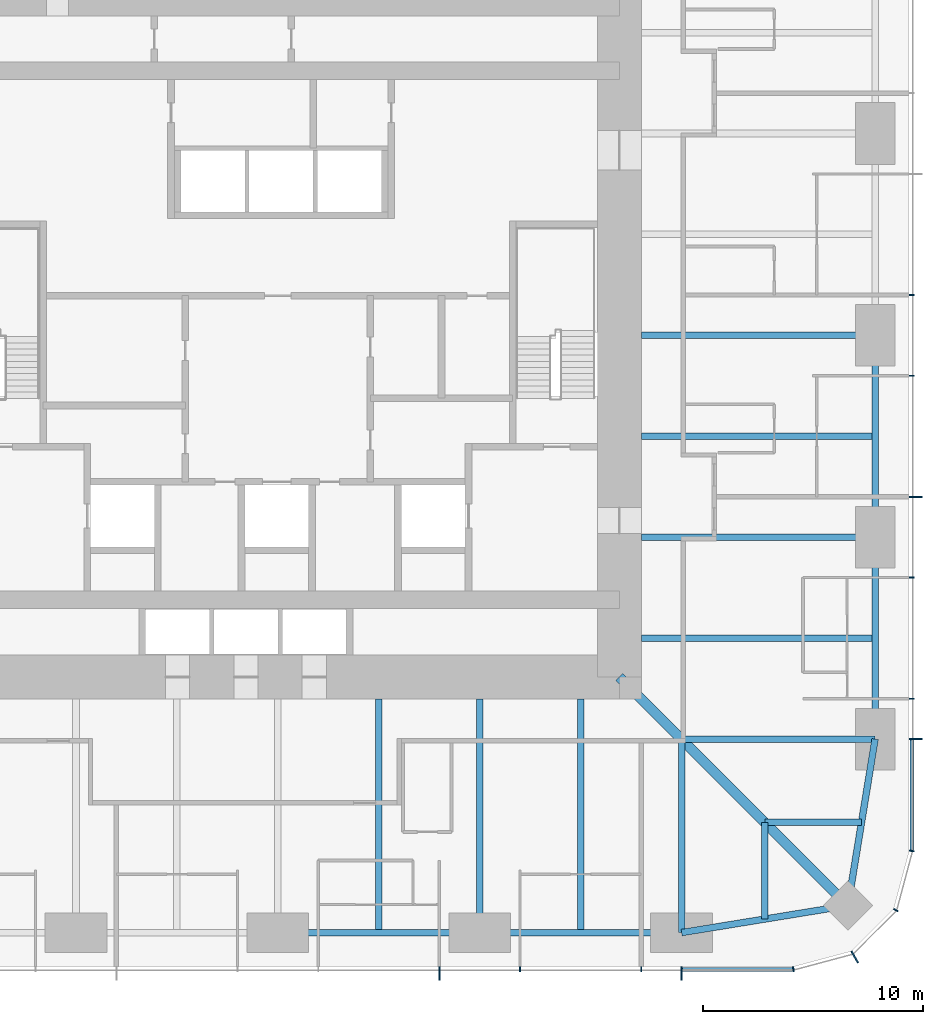
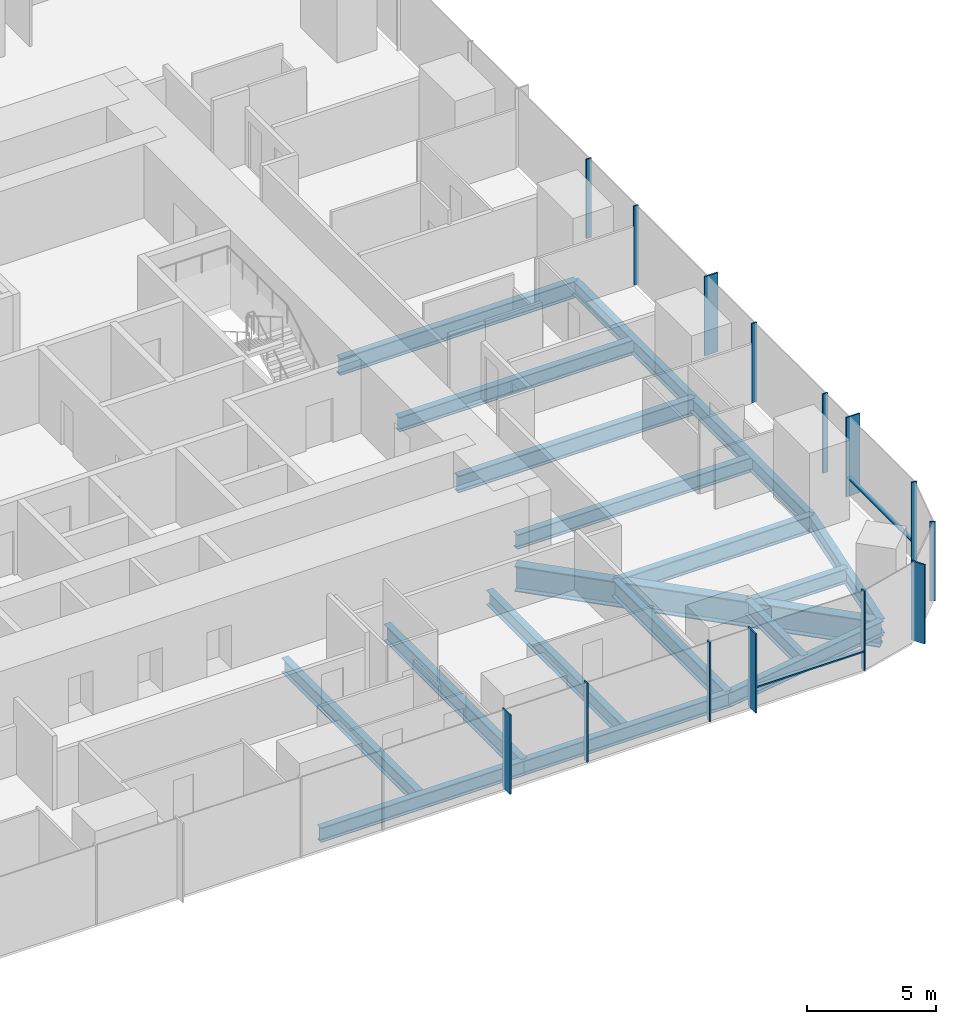
# One storey, part 4 of 13: 18 beams, 16 members, 3 elements without a shape of their own.
"""IFC4 building model written with IfcOpenShell, lengths in metres."""

from ifc_helpers import new_model, si_unit, direction, frame, origin, origin_2d, place, context, subcontext, project, spatial, rectangle, i_section, extrude, material, material_profile, profile_set, type_object, element, aggregate, save


model = new_model("IFC4")

# Units and contexts
model_context = context("Model", 3, precision=1e-05, world=origin(), true_north=direction((0.0, 1.0)))
body_context = subcontext(model_context, "Body", "Model", "MODEL_VIEW")
ifc_project = project(units=[si_unit("LENGTHUNIT", "METRE"), si_unit("AREAUNIT", "SQUARE_METRE"), si_unit("VOLUMEUNIT", "CUBIC_METRE"), si_unit("PLANEANGLEUNIT", "RADIAN"), si_unit("MASSUNIT", "GRAM", prefix="KILO")], contexts=[model_context])

# Site, building, storey
site_placement = place(None, origin())
site = spatial("IfcSite", under=ifc_project, at=site_placement, CompositionType="ELEMENT")
building_placement = place(site_placement, origin())
building = spatial("IfcBuilding", under=site, at=building_placement, Name="Khuree Lantern Residences", CompositionType="ELEMENT")
storey_placement = place(building_placement, frame((0.0, 0.0, 141.0)))
storey = spatial("IfcBuildingStorey", under=building, at=storey_placement, Name="L35", CompositionType="ELEMENT", Elevation=141.0)

# Beams
ifc_material_1 = material(Name="Steel S355", Category="steel")
ifc_material_profile_1 = material_profile(ifc_material_1, i_section(OverallWidth=0.300048828125, OverallDepth=0.68994140625, WebThickness=0.014404296875, FlangeThickness=0.027099609375, FilletRadius=0.027099609375, at=origin_2d()), Name="HE 700 A")
ifc_profile_set_1 = profile_set([ifc_material_profile_1], Name="Steel S355")
beam_type_1 = type_object("IfcBeamType", Name="B-23 SECONDARY BEAM HE 700 A", PredefinedType="BEAM", material=ifc_profile_set_1)
for number, where, z_axis, x_axis, name in (
    (1, (27.10009765625, -4.580078125, -0.594970703125), (-1.0, 0.0, 0.0), (0.0, -1.0, 0.0), "Secondary beam E4"),
    (2, (27.10009765625, -13.739990234375, -0.594970703125), (-1.0, 0.0, 0.0), (0.0, -1.0, 0.0), "Secondary beam E5"),
):
    element("IfcBeam", number, at=place(storey_placement, frame(where, z_axis=z_axis, x_axis=x_axis)), inside=storey, type_object=beam_type_1, Name=name, PredefinedType="BEAM", context=body_context, shape_type="SweptSolid", body=[
        extrude(i_section(OverallWidth=0.300048828125, OverallDepth=0.68994140625, WebThickness=0.014404296875, FlangeThickness=0.027099609375, FilletRadius=0.027099609375, at=origin_2d()), origin(), (0.0, 0.0, 1.0), 10.60009765625),
    ])
for number, where, z_axis, x_axis, name in (
    (3, (26.48486328125, -22.094970703125, -0.594970703125), (-1.0, 0.0, 0.0), (0.0, -1.0, 0.0), "Secondary beam E6"),
    (4, (22.094970703125, -26.48486328125, -0.594970703125), (0.0, 1.0, 0.0), (-1.0, 0.0, 0.0), "Secondary beam S1"),
):
    element("IfcBeam", number, at=place(storey_placement, frame(where, z_axis=z_axis, x_axis=x_axis)), inside=storey, type_object=beam_type_1, Name=name, PredefinedType="BEAM", context=body_context, shape_type="SweptSolid", body=[
        extrude(i_section(OverallWidth=0.300048828125, OverallDepth=0.68994140625, WebThickness=0.014404296875, FlangeThickness=0.027099609375, FilletRadius=0.027099609375, at=origin_2d()), origin(), (0.0, 0.0, 1.0), 4.389892578125),
    ])
for number, where, z_axis, x_axis, name in (
    (5, (13.739990234375, -27.10009765625, -0.594970703125), (0.0, 1.0, 0.0), (-1.0, 0.0, 0.0), "Secondary beam S2"),
    (6, (4.580078125, -27.10009765625, -0.594970703125), (0.0, 1.0, 0.0), (-1.0, 0.0, 0.0), "Secondary beam S3"),
):
    element("IfcBeam", number, at=place(storey_placement, frame(where, z_axis=z_axis, x_axis=x_axis)), inside=storey, type_object=beam_type_1, Name=name, PredefinedType="BEAM", context=body_context, shape_type="SweptSolid", body=[
        extrude(i_section(OverallWidth=0.300048828125, OverallDepth=0.68994140625, WebThickness=0.014404296875, FlangeThickness=0.027099609375, FilletRadius=0.027099609375, at=origin_2d()), origin(), (0.0, 0.0, 1.0), 10.60009765625),
    ])
ifc_material_profile_2 = material_profile(ifc_material_1, i_section(OverallWidth=0.300048828125, OverallDepth=0.68994140625, WebThickness=0.014404296875, FlangeThickness=0.027099609375, FilletRadius=0.027099609375, at=origin_2d()), Name="HE 700 A")
ifc_profile_set_2 = profile_set([ifc_material_profile_2], Name="Steel S355")
beam_type_2 = type_object("IfcBeamType", Name="E-23 SPANDREL BEAM HE 700 A", PredefinedType="SPANDREL", material=ifc_profile_set_2)
beam_1_placement = place(storey_placement, frame((27.10009765625, 0.0, -0.594970703125), z_axis=(0.0, -1.0, 0.0), x_axis=(1.0, 0.0, 0.0)))
element("IfcBeam", 7, at=beam_1_placement, inside=storey, type_object=beam_type_2, Name="Spandrel beam E4", PredefinedType="SPANDREL", context=body_context, shape_type="SweptSolid", body=[
    extrude(i_section(OverallWidth=0.300048828125, OverallDepth=0.68994140625, WebThickness=0.014404296875, FlangeThickness=0.027099609375, FilletRadius=0.027099609375, at=origin_2d()), origin(), (0.0, 0.0, 1.0), 9.159912109375),
])
beam_2_placement = place(storey_placement, frame((27.10009765625, -9.159912109375, -0.594970703125), z_axis=(0.0, -1.0, 0.0), x_axis=(1.0, 0.0, 0.0)))
element("IfcBeam", 8, at=beam_2_placement, inside=storey, type_object=beam_type_2, Name="Spandrel beam E5", PredefinedType="SPANDREL", context=body_context, shape_type="SweptSolid", body=[
    extrude(i_section(OverallWidth=0.300048828125, OverallDepth=0.68994140625, WebThickness=0.014404296875, FlangeThickness=0.027099609375, FilletRadius=0.027099609375, at=origin_2d()), origin(), (0.0, 0.0, 1.0), 9.16015625),
])
for number, where, z_axis, x_axis, name in (
    (9, (27.10009765625, -18.320068359375, -0.594970703125), (-0.160826723833, -0.986982656839, 0.0), (0.986982656839, -0.160826723833, 0.0), "Spandrel beam E6"),
    (10, (25.869873046875, -25.869873046875, -0.594970703125), (-0.986982656839, -0.160826723833, 0.0), (0.160826723833, -0.986982656839, 0.0), "Spandrel beam S1"),
):
    element("IfcBeam", number, at=place(storey_placement, frame(where, z_axis=z_axis, x_axis=x_axis)), inside=storey, type_object=beam_type_2, Name=name, PredefinedType="SPANDREL", context=body_context, shape_type="SweptSolid", body=[
        extrude(i_section(OverallWidth=0.300048828125, OverallDepth=0.68994140625, WebThickness=0.014404296875, FlangeThickness=0.027099609375, FilletRadius=0.027099609375, at=origin_2d()), origin(), (0.0, 0.0, 1.0), 7.6494140625),
    ])
beam_3_placement = place(storey_placement, frame((18.320068359375, -27.10009765625, -0.594970703125), z_axis=(-1.0, 0.0, 0.0), x_axis=(0.0, -1.0, 0.0)))
element("IfcBeam", 11, at=beam_3_placement, inside=storey, type_object=beam_type_2, Name="Spandrel beam S2", PredefinedType="SPANDREL", context=body_context, shape_type="SweptSolid", body=[
    extrude(i_section(OverallWidth=0.300048828125, OverallDepth=0.68994140625, WebThickness=0.014404296875, FlangeThickness=0.027099609375, FilletRadius=0.027099609375, at=origin_2d()), origin(), (0.0, 0.0, 1.0), 9.16015625),
])
beam_4_placement = place(storey_placement, frame((9.159912109375, -27.10009765625, -0.594970703125), z_axis=(-1.0, 0.0, 0.0), x_axis=(0.0, -1.0, 0.0)))
element("IfcBeam", 12, at=beam_4_placement, inside=storey, type_object=beam_type_2, Name="Spandrel beam S3", PredefinedType="SPANDREL", context=body_context, shape_type="SweptSolid", body=[
    extrude(i_section(OverallWidth=0.300048828125, OverallDepth=0.68994140625, WebThickness=0.014404296875, FlangeThickness=0.027099609375, FilletRadius=0.027099609375, at=origin_2d()), origin(), (0.0, 0.0, 1.0), 9.159912109375),
])

# Curtain wall, member
ifc_material_2 = material(Name="Bronze anodised aluminium", Category="aluminium")
curtain_wall_type_1 = type_object("IfcCurtainWallType", Name="CW-T2 TOWER CORNER CURTAIN WALL", PredefinedType="USERDEFINED", material=ifc_material_2)
curtain_wall_1_placement = place(storey_placement, origin())
curtain_wall_1 = element("IfcCurtainWall", 13, at=curtain_wall_1_placement, inside=storey, type_object=curtain_wall_type_1, Name="L35 SOUTH-EAST CORNER CURTAIN WALL", ObjectType="Faceted corner curtain wall", PredefinedType="USERDEFINED")
ifc_material_profile_3 = material_profile(ifc_material_2, rectangle(XDim=0.06494140625, YDim=0.60009765625, at=origin_2d()), Name="F1 65X600")
ifc_profile_set_3 = profile_set([ifc_material_profile_3], Name="Bronze anodised aluminium")
member_type_1 = type_object("IfcMemberType", Name="F1 BRONZE FIN MULLION TOWER 65X600", PredefinedType="MULLION", material=ifc_profile_set_3)
member_1_placement = place(storey_placement, frame((26.175048828125, -28.20654296875, 0.0), z_axis=(0.0, 0.0, 1.0), x_axis=(0.866025388199, 0.500000026995, 0.0)))
member_1 = element("IfcMember", 14, at=member_1_placement, type_object=member_type_1, Name="L35 SOUTH-EAST CORNER FIN MULLION 2", PredefinedType="MULLION", context=body_context, shape_type="SweptSolid", body=[
    extrude(rectangle(XDim=0.06494140625, YDim=0.60009765625, at=origin_2d()), origin(), (0.0, 0.0, 1.0), 3.75),
])

# Curtain wall, members
curtain_wall_type_2 = type_object("IfcCurtainWallType", Name="CW-T1 TOWER FACE CURTAIN WALL", PredefinedType="USERDEFINED", material=ifc_material_2)
curtain_wall_2_placement = place(storey_placement, origin())
curtain_wall_2 = element("IfcCurtainWall", 15, at=curtain_wall_2_placement, inside=storey, type_object=curtain_wall_type_2, Name="L35 EAST FACE CURTAIN WALL", ObjectType="Stick-built curtain wall", PredefinedType="USERDEFINED")
member_2_placement = place(storey_placement, frame((28.949951171875, -18.320068359375, 0.0), z_axis=(0.0, 0.0, 1.0), x_axis=(0.0, 1.0, 0.0)))
member_2 = element("IfcMember", 16, at=member_2_placement, type_object=member_type_1, Name="L35 EAST FACE FIN MULLION 5", PredefinedType="MULLION", context=body_context, shape_type="SweptSolid", body=[
    extrude(rectangle(XDim=0.06494140625, YDim=0.60009765625, at=origin_2d()), origin(), (0.0, 0.0, 1.0), 3.75),
])
member_3_placement = place(storey_placement, frame((28.949951171875, -7.327880859375, 0.0), z_axis=(0.0, 0.0, 1.0), x_axis=(0.0, 1.0, 0.0)))
member_3 = element("IfcMember", 17, at=member_3_placement, type_object=member_type_1, Name="L35 EAST FACE FIN MULLION 8", PredefinedType="MULLION", context=body_context, shape_type="SweptSolid", body=[
    extrude(rectangle(XDim=0.06494140625, YDim=0.60009765625, at=origin_2d()), origin(), (0.0, 0.0, 1.0), 3.75),
])

curtain_wall_3_placement = place(storey_placement, origin())
curtain_wall_3 = element("IfcCurtainWall", 18, at=curtain_wall_3_placement, inside=storey, type_object=curtain_wall_type_2, Name="L35 SOUTH FACE CURTAIN WALL", ObjectType="Stick-built curtain wall", PredefinedType="USERDEFINED")
member_4_placement = place(storey_placement, frame((7.327880859375, -28.949951171875, 0.0), z_axis=(0.0, 0.0, 1.0), x_axis=(1.0, 0.0, 0.0)))
member_4 = element("IfcMember", 19, at=member_4_placement, type_object=member_type_1, Name="L35 SOUTH FACE FIN MULLION 53", PredefinedType="MULLION", context=body_context, shape_type="SweptSolid", body=[
    extrude(rectangle(XDim=0.06494140625, YDim=0.60009765625, at=origin_2d()), origin(), (0.0, 0.0, 1.0), 3.75),
])
member_5_placement = place(storey_placement, frame((18.320068359375, -28.949951171875, 0.0), z_axis=(0.0, 0.0, 1.0), x_axis=(1.0, 0.0, 0.0)))
member_5 = element("IfcMember", 20, at=member_5_placement, type_object=member_type_1, Name="L35 SOUTH FACE FIN MULLION 56", PredefinedType="MULLION", context=body_context, shape_type="SweptSolid", body=[
    extrude(rectangle(XDim=0.06494140625, YDim=0.60009765625, at=origin_2d()), origin(), (0.0, 0.0, 1.0), 3.75),
])

# Beams
ifc_material_profile_4 = material_profile(ifc_material_1, i_section(OverallWidth=0.300048828125, OverallDepth=0.800048828125, WebThickness=0.017578125, FlangeThickness=0.032958984375, FilletRadius=0.030029296875, at=origin_2d()), Name="HE 800 B")
ifc_profile_set_4 = profile_set([ifc_material_profile_4], Name="Steel S355")
beam_type_3 = type_object("IfcBeamType", Name="G-23 GIRDER HE 800 B", PredefinedType="BEAM", material=ifc_profile_set_4)
for number, where, z_axis, x_axis, name in (
    (21, (27.10009765625, 0.0, -0.64990234375), (-1.0, 0.0, 0.0), (0.0, -1.0, 0.0), "Girder E3"),
    (22, (27.10009765625, -9.159912109375, -0.64990234375), (-1.0, 0.0, 0.0), (0.0, -1.0, 0.0), "Girder E4"),
):
    element("IfcBeam", number, at=place(storey_placement, frame(where, z_axis=z_axis, x_axis=x_axis)), inside=storey, type_object=beam_type_3, Name=name, PredefinedType="BEAM", context=body_context, shape_type="SweptSolid", body=[
        extrude(i_section(OverallWidth=0.300048828125, OverallDepth=0.800048828125, WebThickness=0.017578125, FlangeThickness=0.032958984375, FilletRadius=0.030029296875, at=origin_2d()), origin(), (0.0, 0.0, 1.0), 10.60009765625),
    ])
for number, where, z_axis, x_axis, name in (
    (23, (27.10009765625, -18.320068359375, -0.64990234375), (-1.0, 0.0, 0.0), (0.0, -1.0, 0.0), "Girder E5"),
    (24, (18.320068359375, -27.10009765625, -0.64990234375), (0.0, 1.0, 0.0), (-1.0, 0.0, 0.0), "Girder S1"),
):
    element("IfcBeam", number, at=place(storey_placement, frame(where, z_axis=z_axis, x_axis=x_axis)), inside=storey, type_object=beam_type_3, Name=name, PredefinedType="BEAM", context=body_context, shape_type="SweptSolid", body=[
        extrude(i_section(OverallWidth=0.300048828125, OverallDepth=0.800048828125, WebThickness=0.017578125, FlangeThickness=0.032958984375, FilletRadius=0.030029296875, at=origin_2d()), origin(), (0.0, 0.0, 1.0), 8.780029296875),
    ])
beam_5_placement = place(storey_placement, frame((9.159912109375, -27.10009765625, -0.64990234375), z_axis=(0.0, 1.0, 0.0), x_axis=(-1.0, 0.0, 0.0)))
element("IfcBeam", 25, at=beam_5_placement, inside=storey, type_object=beam_type_3, Name="Girder S2", PredefinedType="BEAM", context=body_context, shape_type="SweptSolid", body=[
    extrude(i_section(OverallWidth=0.300048828125, OverallDepth=0.800048828125, WebThickness=0.017578125, FlangeThickness=0.032958984375, FilletRadius=0.030029296875, at=origin_2d()), origin(), (0.0, 0.0, 1.0), 10.60009765625),
])
ifc_material_profile_5 = material_profile(ifc_material_1, i_section(OverallWidth=0.449951171875, OverallDepth=1.199951171875, WebThickness=0.02490234375, FlangeThickness=0.044921875, at=origin_2d()), Name="WELDED I 1200X450X25X45")
ifc_profile_set_5 = profile_set([ifc_material_profile_5], Name="Steel S355")
beam_type_4 = type_object("IfcBeamType", Name="GD-23 CORNER GIRDER WELDED I 1200X450X25X45", PredefinedType="BEAM", material=ifc_profile_set_5)
beam_6_placement = place(storey_placement, frame((25.869873046875, -25.869873046875, -0.85009765625), z_axis=(-0.707106781187, 0.707106781187, 0.0), x_axis=(-0.707106781187, -0.707106781187, 0.0)))
element("IfcBeam", 26, at=beam_6_placement, inside=storey, type_object=beam_type_4, Name="Corner girder SE", PredefinedType="BEAM", context=body_context, shape_type="SweptSolid", body=[
    extrude(i_section(OverallWidth=0.449951171875, OverallDepth=1.199951171875, WebThickness=0.02490234375, FlangeThickness=0.044921875, at=origin_2d()), origin(), (0.0, 0.0, 1.0), 14.665283203125),
])

# Member
ifc_material_profile_6 = material_profile(ifc_material_2, rectangle(XDim=0.06494140625, YDim=0.219970703125, at=origin_2d()), Name="M1 65X220")
ifc_profile_set_6 = profile_set([ifc_material_profile_6], Name="Bronze anodised aluminium")
member_type_2 = type_object("IfcMemberType", Name="M1 BRONZE MULLION TOWER 65X220", PredefinedType="MULLION", material=ifc_profile_set_6)
member_6_placement = place(storey_placement, frame((23.39501953125, -28.76171875, 0.0), z_axis=(0.0, 0.0, 1.0), x_axis=(0.991444857305, 0.130526223125, 0.0)))
member_6 = element("IfcMember", 27, at=member_6_placement, type_object=member_type_2, Name="L35 SOUTH-EAST CORNER MULLION 1", PredefinedType="MULLION", context=body_context, shape_type="SweptSolid", body=[
    extrude(rectangle(XDim=0.06494140625, YDim=0.219970703125, at=origin_2d()), origin(), (0.0, 0.0, 1.0), 3.75),
])

member_7_placement = place(storey_placement, frame((28.0419921875, -26.080078125, 0.0), z_axis=(0.0, 0.0, 1.0), x_axis=(0.500000026995, 0.866025388199, 0.0)))
member_7 = element("IfcMember", 28, at=member_7_placement, type_object=member_type_2, Name="L35 SOUTH-EAST CORNER MULLION 3", PredefinedType="MULLION", context=body_context, shape_type="SweptSolid", body=[
    extrude(rectangle(XDim=0.06494140625, YDim=0.219970703125, at=origin_2d()), origin(), (0.0, 0.0, 1.0), 3.75),
])

aggregate(curtain_wall_1, [member_6, member_1, member_7])

member_8_placement = place(storey_placement, frame((28.76171875, -23.39501953125, 0.0), z_axis=(0.0, 0.0, 1.0), x_axis=(0.130526223125, 0.991444857305, 0.0)))
member_8 = element("IfcMember", 29, at=member_8_placement, type_object=member_type_2, Name="L35 EAST FACE MULLION 4", PredefinedType="MULLION", context=body_context, shape_type="SweptSolid", body=[
    extrude(rectangle(XDim=0.06494140625, YDim=0.219970703125, at=origin_2d()), origin(), (0.0, 0.0, 1.0), 3.75),
])

member_9_placement = place(storey_placement, frame((28.760009765625, -16.488037109375, 0.0), z_axis=(0.0, 0.0, 1.0), x_axis=(0.0, 1.0, 0.0)))
member_9 = element("IfcMember", 30, at=member_9_placement, type_object=member_type_2, Name="L35 EAST FACE MULLION 6", PredefinedType="MULLION", context=body_context, shape_type="SweptSolid", body=[
    extrude(rectangle(XDim=0.06494140625, YDim=0.219970703125, at=origin_2d()), origin(), (0.0, 0.0, 1.0), 3.75),
])

member_10_placement = place(storey_placement, frame((28.760009765625, -10.991943359375, 0.0), z_axis=(0.0, 0.0, 1.0), x_axis=(0.0, 1.0, 0.0)))
member_10 = element("IfcMember", 31, at=member_10_placement, type_object=member_type_2, Name="L35 EAST FACE MULLION 7", PredefinedType="MULLION", context=body_context, shape_type="SweptSolid", body=[
    extrude(rectangle(XDim=0.06494140625, YDim=0.219970703125, at=origin_2d()), origin(), (0.0, 0.0, 1.0), 3.75),
])

member_11_placement = place(storey_placement, frame((28.760009765625, -1.83203125, 0.0), z_axis=(0.0, 0.0, 1.0), x_axis=(0.0, 1.0, 0.0)))
member_11 = element("IfcMember", 32, at=member_11_placement, type_object=member_type_2, Name="L35 EAST FACE MULLION 9", PredefinedType="MULLION", context=body_context, shape_type="SweptSolid", body=[
    extrude(rectangle(XDim=0.06494140625, YDim=0.219970703125, at=origin_2d()), origin(), (0.0, 0.0, 1.0), 3.75),
])

member_12_placement = place(storey_placement, frame((28.760009765625, 1.83203125, 0.0), z_axis=(0.0, 0.0, 1.0), x_axis=(0.0, 1.0, 0.0)))
member_12 = element("IfcMember", 33, at=member_12_placement, type_object=member_type_2, Name="L35 EAST FACE MULLION 10", PredefinedType="MULLION", context=body_context, shape_type="SweptSolid", body=[
    extrude(rectangle(XDim=0.06494140625, YDim=0.219970703125, at=origin_2d()), origin(), (0.0, 0.0, 1.0), 3.75),
])

member_13_placement = place(storey_placement, frame((10.991943359375, -28.760009765625, 0.0), z_axis=(0.0, 0.0, 1.0), x_axis=(1.0, 0.0, 0.0)))
member_13 = element("IfcMember", 34, at=member_13_placement, type_object=member_type_2, Name="L35 SOUTH FACE MULLION 54", PredefinedType="MULLION", context=body_context, shape_type="SweptSolid", body=[
    extrude(rectangle(XDim=0.06494140625, YDim=0.219970703125, at=origin_2d()), origin(), (0.0, 0.0, 1.0), 3.75),
])

member_14_placement = place(storey_placement, frame((16.488037109375, -28.760009765625, 0.0), z_axis=(0.0, 0.0, 1.0), x_axis=(1.0, 0.0, 0.0)))
member_14 = element("IfcMember", 35, at=member_14_placement, type_object=member_type_2, Name="L35 SOUTH FACE MULLION 55", PredefinedType="MULLION", context=body_context, shape_type="SweptSolid", body=[
    extrude(rectangle(XDim=0.06494140625, YDim=0.219970703125, at=origin_2d()), origin(), (0.0, 0.0, 1.0), 3.75),
])

ifc_material_profile_7 = material_profile(ifc_material_2, rectangle(XDim=0.179931640625, YDim=0.06494140625, at=origin_2d()), Name="T1 180X65")
ifc_profile_set_7 = profile_set([ifc_material_profile_7], Name="Bronze anodised aluminium")
member_type_3 = type_object("IfcMemberType", Name="TRANSOM T1 TOWER 180X65", PredefinedType="USERDEFINED", material=ifc_profile_set_7)
member_15_placement = place(storey_placement, frame((28.77001953125, -23.351318359375, 0.89990234375), z_axis=(0.0, 1.0, 0.0), x_axis=(-1.0, 0.0, 0.0)))
member_15 = element("IfcMember", 36, at=member_15_placement, type_object=member_type_3, Name="L35 EAST FACE TRANSOM 4.1", ObjectType="Transom", PredefinedType="USERDEFINED", context=body_context, shape_type="SweptSolid", body=[
    extrude(rectangle(XDim=0.179931640625, YDim=0.06494140625, at=origin_2d()), origin(), (0.0, 0.0, 1.0), 4.998779296875),
])

aggregate(curtain_wall_2, [member_8, member_2, member_9, member_10, member_3, member_11, member_12, member_15])

member_16_placement = place(storey_placement, frame((18.3525390625, -28.77001953125, 0.89990234375), z_axis=(1.0, 0.0, 0.0), x_axis=(0.0, 1.0, 0.0)))
member_16 = element("IfcMember", 37, at=member_16_placement, type_object=member_type_3, Name="L35 SOUTH FACE TRANSOM 56.1", ObjectType="Transom", PredefinedType="USERDEFINED", context=body_context, shape_type="SweptSolid", body=[
    extrude(rectangle(XDim=0.179931640625, YDim=0.06494140625, at=origin_2d()), origin(), (0.0, 0.0, 1.0), 4.998779296875),
])

aggregate(curtain_wall_3, [member_4, member_13, member_14, member_5, member_16])

save(model, "model.ifc")
